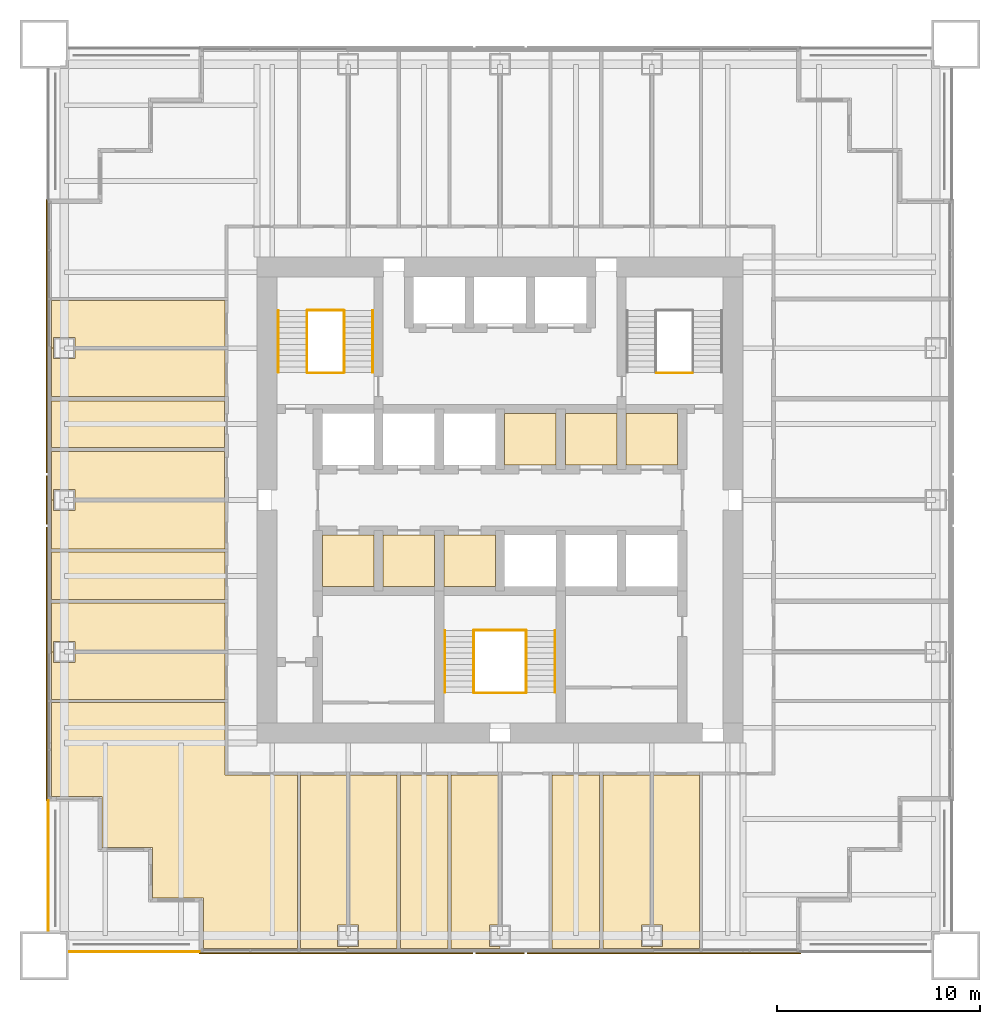
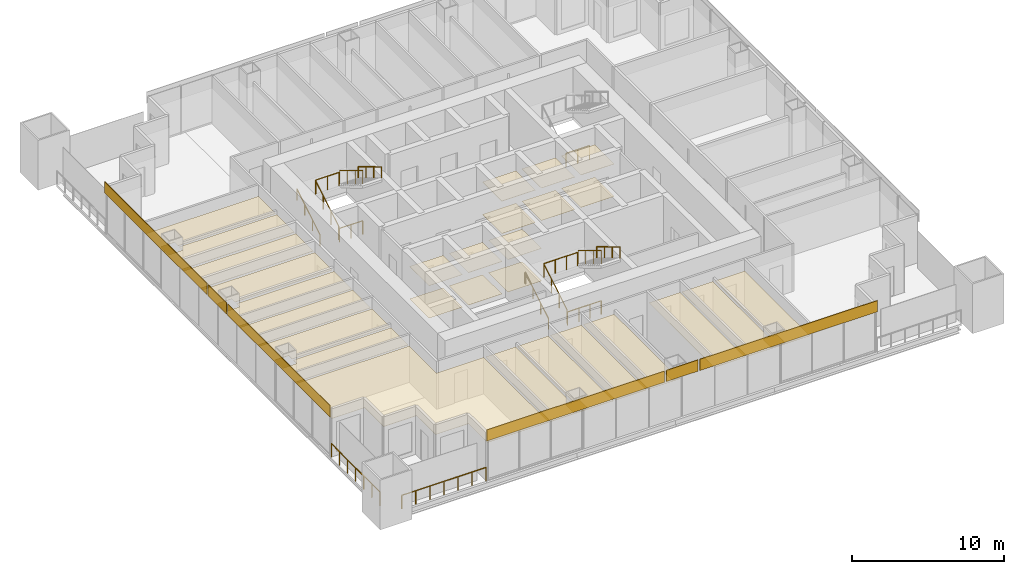
# One storey, part 13 of 14: 34 coverings, 15 railings.
"""IFC4 building model written with IfcOpenShell, lengths in metres."""

import ifcopenshell
import ifcopenshell.guid

model = None  # the IFC model being written
_history = None  # IfcOwnerHistory: only IFC2X3 demands one
_inside = {}  # id of a spatial element -> (the spatial element, [elements in it])
_under = {}  # id of a project, library or spatial element -> (it, [spatial elements below it])
_declared = {}  # id of a project -> (the project, [libraries it declares])
_typed = {}  # id of a type object -> (the type object, [elements of that type])
_made_of = {}  # id of a material, layer set ... -> (it, [elements and type objects made of it])


def new_model(schema):
    """Start an empty IFC model of exactly this schema.

    Asked for "IFC4X3", IfcOpenShell would pick the latest addendum, in which some entities
    have other attributes; the version numbers below select the first issue.
    IFC2X3 requires an IfcOwnerHistory on every rooted entity: one is made here for all.
    """
    global model, _history
    if schema == "IFC4X3":
        model = ifcopenshell.file(schema_version=(4, 3, 0, 0))
    else:
        model = ifcopenshell.file(schema=schema)
    _inside.clear()
    _under.clear()
    _declared.clear()
    _typed.clear()
    _made_of.clear()
    _history = None
    if model.schema == "IFC2X3":
        org = make("IfcOrganization", Name="unknown")
        user = make(
            "IfcPersonAndOrganization",
            ThePerson=make("IfcPerson", FamilyName="unknown"),
            TheOrganization=org,
        )
        app = make(
            "IfcApplication",
            ApplicationDeveloper=org,
            Version="unknown",
            ApplicationFullName="unknown",
            ApplicationIdentifier="unknown",
        )
        _history = make(
            "IfcOwnerHistory",
            OwningUser=user,
            OwningApplication=app,
            ChangeAction="ADDED",
            CreationDate=0,
        )
    return model


def make(cls, **values):
    """One entity of the class cls with the attributes given. An attribute that is None is left unset."""
    return model.create_entity(
        cls, **{name: value for name, value in values.items() if value is not None}
    )


def rooted(cls, **values):
    """An entity with a GlobalId (a new one), such as an element, a storey or a relation."""
    return make(cls, GlobalId=ifcopenshell.guid.new(), OwnerHistory=_history, **values)


def si_unit(unit_type, name, prefix=None):
    """IfcSIUnit, for example si_unit("LENGTHUNIT", "METRE", prefix="MILLI")."""
    return make("IfcSIUnit", UnitType=unit_type, Prefix=prefix, Name=name)


def assignment(units):
    """IfcUnitAssignment: the units of a project."""
    return None if units is None else make("IfcUnitAssignment", Units=units)


def point(xyz):
    """IfcCartesianPoint."""
    return None if xyz is None else make("IfcCartesianPoint", Coordinates=xyz)


def direction(xyz):
    """IfcDirection."""
    return None if xyz is None else make("IfcDirection", DirectionRatios=xyz)


def frame(location, z_axis=None, x_axis=None):
    """IfcAxis2Placement3D, a coordinate frame: its origin and axes. An axis left out is left unset."""
    return make(
        "IfcAxis2Placement3D",
        Location=point(location),
        Axis=direction(z_axis),
        RefDirection=direction(x_axis),
    )


def frame_2d(location, x_axis=None):
    """IfcAxis2Placement2D, a coordinate frame in the plane: its origin and x axis."""
    return make(
        "IfcAxis2Placement2D", Location=point(location), RefDirection=direction(x_axis)
    )


def origin():
    """The frame at (0, 0, 0) with its axes left unset."""
    return frame((0.0, 0.0, 0.0))


def origin_2d():
    """The frame at (0, 0) in the plane with its x axis left unset."""
    return frame_2d((0.0, 0.0))


def place(relative_to, where):
    """IfcLocalPlacement: puts the frame where relative to a parent placement (None: the world)."""
    return make(
        "IfcLocalPlacement", PlacementRelTo=relative_to, RelativePlacement=where
    )


def context(
    kind, dimensions, precision=None, world=None, true_north=None, identifier=None
):
    """IfcGeometricRepresentationContext, for example the 3D "Model" context."""
    return make(
        "IfcGeometricRepresentationContext",
        ContextIdentifier=identifier,
        ContextType=kind,
        CoordinateSpaceDimension=dimensions,
        Precision=precision,
        WorldCoordinateSystem=world,
        TrueNorth=true_north,
    )


def subcontext(parent, identifier, kind, view, scale=None):
    """IfcGeometricRepresentationSubContext, for example "Body" below "Model"."""
    return make(
        "IfcGeometricRepresentationSubContext",
        ContextIdentifier=identifier,
        ContextType=kind,
        ParentContext=parent,
        TargetScale=scale,
        TargetView=view,
    )


def project(units=None, contexts=None):
    """IfcProject with its units and contexts."""
    return rooted(
        "IfcProject",
        Name="project",
        RepresentationContexts=contexts,
        UnitsInContext=assignment(units),
    )


def spatial(cls, under=None, at=None, **own):
    """A site, building, storey or space (cls), placed at a placement, below another one or the project."""
    s = rooted(cls, ObjectPlacement=at, **own)
    if under is not None:
        _under.setdefault(under.id(), (under, []))[1].append(s)
    return s


def polyline(points):
    """IfcPolyline through the points."""
    return make("IfcPolyline", Points=[point(p) for p in points])


def profile(cls, at=None, kind="AREA", **sizes):
    """A parametric profile (cls). Its sizes go by their IFC names, for example OverallWidth=200.0."""
    return make(cls, ProfileType=kind, Position=at, **sizes)


def rectangle(**sizes):
    """IfcRectangleProfileDef."""
    return profile("IfcRectangleProfileDef", **sizes)


def circle(**sizes):
    """IfcCircleProfileDef."""
    return profile("IfcCircleProfileDef", **sizes)


def outline(outer, holes=None, kind="AREA"):
    """IfcArbitraryClosedProfileDef: a profile drawn as a closed curve; with holes, ...WithVoids."""
    if holes is None:
        return make("IfcArbitraryClosedProfileDef", ProfileType=kind, OuterCurve=outer)
    return make(
        "IfcArbitraryProfileDefWithVoids",
        ProfileType=kind,
        OuterCurve=outer,
        InnerCurves=holes,
    )


def extrude(swept, where, along, depth):
    """IfcExtrudedAreaSolid: the profile swept, set in the frame where, extruded along a direction by depth."""
    return make(
        "IfcExtrudedAreaSolid",
        SweptArea=swept,
        Position=where,
        ExtrudedDirection=direction(along),
        Depth=depth,
    )


def shape(context_of_items, identifier, shape_type, items):
    """IfcShapeRepresentation: the items that make up one representation, for example the "Body"."""
    return make(
        "IfcShapeRepresentation",
        ContextOfItems=context_of_items,
        RepresentationIdentifier=identifier,
        RepresentationType=shape_type,
        Items=items,
    )


def material(Name=None, Category=None):
    """IfcMaterial."""
    return make("IfcMaterial", Name=Name, Category=Category)


def layer(
    of_material, thickness, ventilated=None, Name=None, Category=None, Priority=None
):
    """IfcMaterialLayer: one layer of a wall or slab, of a material (None: an air gap)."""
    return make(
        "IfcMaterialLayer",
        Material=of_material,
        LayerThickness=thickness,
        IsVentilated=ventilated,
        Name=Name,
        Category=Category,
        Priority=Priority,
    )


def layer_set(layers, Name=None):
    """IfcMaterialLayerSet."""
    return make("IfcMaterialLayerSet", MaterialLayers=layers, LayerSetName=Name)


def made_of(thing, what):
    """Note that an element or type object is made of a material, layer set ...; save() writes the relation."""
    if what is not None:
        _made_of.setdefault(what.id(), (what, []))[1].append(thing)
    return thing


def type_object(cls, material=None, **own):
    """A type object (cls), such as IfcWallType, which elements share."""
    return made_of(rooted(cls, **own), material)


def element(
    cls,
    number,
    at=None,
    inside=None,
    cuts=None,
    type_object=None,
    material=None,
    context=None,
    identifier="Body",
    shape_type=None,
    held_by="IfcProductDefinitionShape",
    body=None,
    shapes=None,
    **own,
):
    """One element of the class cls, such as IfcWall. Its Tag is "e" and its number.

    at: its placement. inside: the storey or other place that contains it. cuts: it is an
    opening in that element (IfcRelVoidsElement). A single representation is given by context,
    identifier, shape_type and body (its items); several are given by shapes. held_by: the class
    of the entity that holds the representations. save() writes the other relations.
    """
    e = rooted(cls, Tag="e%d" % number, ObjectPlacement=at, **own)
    if body is not None:
        shapes = [shape(context, identifier, shape_type, body)]
    if shapes is not None:
        e.Representation = make(held_by, Representations=shapes)
    if inside is not None:
        _inside.setdefault(inside.id(), (inside, []))[1].append(e)
    if cuts is not None:
        rooted(
            "IfcRelVoidsElement", RelatingBuildingElement=cuts, RelatedOpeningElement=e
        )
    if type_object is not None:
        _typed.setdefault(type_object.id(), (type_object, []))[1].append(e)
    return made_of(e, material)


def aggregate(whole, parts):
    """IfcRelAggregates: a whole, such as a stair, and the parts it consists of."""
    return rooted("IfcRelAggregates", RelatingObject=whole, RelatedObjects=parts)


def save(model, path):
    """Write the relations noted so far, then the file.

    IfcRelAggregates (storeys below a building ...), IfcRelContainedInSpatialStructure (elements
    in a storey), IfcRelDefinesByType, IfcRelAssociatesMaterial and IfcRelDeclares: one each for
    every whole, place, type object, material and project.
    """
    for whole, parts in _under.values():
        aggregate(whole, parts)
    for where, things in _inside.values():
        rooted(
            "IfcRelContainedInSpatialStructure",
            RelatedElements=things,
            RelatingStructure=where,
        )
    for kind, things in _typed.values():
        rooted("IfcRelDefinesByType", RelatedObjects=things, RelatingType=kind)
    for what, things in _made_of.values():
        rooted("IfcRelAssociatesMaterial", RelatedObjects=things, RelatingMaterial=what)
    for by, libraries in _declared.values():
        rooted("IfcRelDeclares", RelatingContext=by, RelatedDefinitions=libraries)
    model.write(path)


model = new_model("IFC4")

# Units and contexts
model_context = context("Model", 3, precision=1e-05, world=origin(), true_north=direction((0.0, 1.0)))
body_context = subcontext(model_context, "Body", "Model", "MODEL_VIEW")
ifc_project = project(units=[si_unit("LENGTHUNIT", "METRE"), si_unit("AREAUNIT", "SQUARE_METRE"), si_unit("VOLUMEUNIT", "CUBIC_METRE"), si_unit("PLANEANGLEUNIT", "RADIAN"), si_unit("MASSUNIT", "GRAM", prefix="KILO")], contexts=[model_context])

# Site, building, storey
site_placement = place(None, origin())
site = spatial("IfcSite", under=ifc_project, at=site_placement, CompositionType="ELEMENT")
building_placement = place(site_placement, origin())
building = spatial("IfcBuilding", under=site, at=building_placement, Name="Tarangal Relay Tower", CompositionType="ELEMENT")
storey_placement = place(building_placement, frame((0.0, 0.0, 229.89990234375)))
storey = spatial("IfcBuildingStorey", under=building, at=storey_placement, Name="L49", CompositionType="ELEMENT", Elevation=229.89990234375)

# Coverings
ifc_material_1 = material(Name="Anti-static vinyl flooring", Category="plastic")
ifc_layer_1 = layer(ifc_material_1, 0.010009765625)
ifc_layer_set_1 = layer_set([ifc_layer_1], Name="Anti-static vinyl floor")
covering_type_1 = type_object("IfcCoveringType", Name="Anti-static vinyl floor", PredefinedType="FLOORING", material=ifc_layer_set_1)
covering_1_placement = place(storey_placement, origin())
element("IfcCovering", 1, at=covering_1_placement, inside=storey, type_object=covering_type_1, Name="Floor finish FL1 L49-T1", PredefinedType="FLOORING", context=body_context, shape_type="SweptSolid", body=[
    extrude(outline(polyline([(0.22509765625, 1.72509765625), (2.77490234375, 1.72509765625), (2.77490234375, 4.27490234375), (0.22509765625, 4.27490234375), (0.22509765625, 1.72509765625)])), origin(), (0.0, 0.0, 1.0), 0.010009765625),
])
covering_2_placement = place(storey_placement, origin())
element("IfcCovering", 2, at=covering_2_placement, inside=storey, type_object=covering_type_1, Name="Floor finish FL1 L49-T2", PredefinedType="FLOORING", context=body_context, shape_type="SweptSolid", body=[
    extrude(outline(polyline([(3.22509765625, 1.72509765625), (5.77490234375, 1.72509765625), (5.77490234375, 4.27490234375), (3.22509765625, 4.27490234375), (3.22509765625, 1.72509765625)])), origin(), (0.0, 0.0, 1.0), 0.010009765625),
])
covering_3_placement = place(storey_placement, origin())
element("IfcCovering", 3, at=covering_3_placement, inside=storey, type_object=covering_type_1, Name="Floor finish FL1 L49-T3", PredefinedType="FLOORING", context=body_context, shape_type="SweptSolid", body=[
    extrude(outline(polyline([(6.22509765625, 1.72509765625), (8.77490234375, 1.72509765625), (8.77490234375, 4.27490234375), (6.22509765625, 4.27490234375), (6.22509765625, 1.72509765625)])), origin(), (0.0, 0.0, 1.0), 0.010009765625),
])
covering_4_placement = place(storey_placement, origin())
element("IfcCovering", 4, at=covering_4_placement, inside=storey, type_object=covering_type_1, Name="Floor finish FL1 L49-S1", PredefinedType="FLOORING", context=body_context, shape_type="SweptSolid", body=[
    extrude(outline(polyline([(-8.77490234375, -4.27490234375), (-6.22509765625, -4.27490234375), (-6.22509765625, -1.72509765625), (-8.77490234375, -1.72509765625), (-8.77490234375, -4.27490234375)])), origin(), (0.0, 0.0, 1.0), 0.010009765625),
])
covering_5_placement = place(storey_placement, origin())
element("IfcCovering", 5, at=covering_5_placement, inside=storey, type_object=covering_type_1, Name="Floor finish FL1 L49-S2", PredefinedType="FLOORING", context=body_context, shape_type="SweptSolid", body=[
    extrude(outline(polyline([(-5.77490234375, -4.27490234375), (-3.22509765625, -4.27490234375), (-3.22509765625, -1.72509765625), (-5.77490234375, -1.72509765625), (-5.77490234375, -4.27490234375)])), origin(), (0.0, 0.0, 1.0), 0.010009765625),
])
covering_6_placement = place(storey_placement, origin())
element("IfcCovering", 6, at=covering_6_placement, inside=storey, type_object=covering_type_1, Name="Floor finish FL1 L49-S3", PredefinedType="FLOORING", context=body_context, shape_type="SweptSolid", body=[
    extrude(outline(polyline([(-2.77490234375, -4.27490234375), (-0.22509765625, -4.27490234375), (-0.22509765625, -1.72509765625), (-2.77490234375, -1.72509765625), (-2.77490234375, -4.27490234375)])), origin(), (0.0, 0.0, 1.0), 0.010009765625),
])
ifc_material_2 = material(Name="Black anodised aluminium cladding", Category="aluminium")
ifc_layer_2 = layer(ifc_material_2, 0.050048828125)
ifc_layer_set_2 = layer_set([ifc_layer_2], Name="Black metal spandrel band")
covering_type_2 = type_object("IfcCoveringType", Name="Black metal spandrel band", PredefinedType="CLADDING", material=ifc_layer_set_2)
covering_7_placement = place(storey_placement, frame((8.096435546875, -22.375, 3.250244140625), z_axis=(0.0, 0.0, 1.0), x_axis=(-1.0, 0.0, 0.0)))
element("IfcCovering", 7, at=covering_7_placement, inside=storey, type_object=covering_type_2, Name="Spandrel band SB1 S L49", PredefinedType="CLADDING", context=body_context, shape_type="SweptSolid", body=[
    extrude(rectangle(XDim=13.507080078125, YDim=0.050048828125, at=origin_2d()), origin(), (0.0, 0.0, 1.0), 0.89990234375),
])
covering_8_placement = place(storey_placement, frame((0.0, -22.375, 3.250244140625), z_axis=(0.0, 0.0, 1.0), x_axis=(-1.0, 0.0, 0.0)))
element("IfcCovering", 8, at=covering_8_placement, inside=storey, type_object=covering_type_2, Name="Spandrel band SB1 S L49", PredefinedType="CLADDING", context=body_context, shape_type="SweptSolid", body=[
    extrude(rectangle(XDim=2.406005859375, YDim=0.050048828125, at=origin_2d()), origin(), (0.0, 0.0, 1.0), 0.89990234375),
])
for number, where, z_axis, x_axis, name in (
    (9, (-8.096435546875, -22.375, 3.250244140625), (0.0, 0.0, 1.0), (-1.0, 0.0, 0.0), "Spandrel band SB1 S L49"),
    (10, (-22.375, -8.096435546875, 3.250244140625), (0.0, 0.0, 1.0), (0.0, 1.0, 0.0), "Spandrel band SB1 W L49"),
):
    element("IfcCovering", number, at=place(storey_placement, frame(where, z_axis=z_axis, x_axis=x_axis)), inside=storey, type_object=covering_type_2, Name=name, PredefinedType="CLADDING", context=body_context, shape_type="SweptSolid", body=[
        extrude(rectangle(XDim=13.507080078125, YDim=0.050048828125, at=origin_2d()), origin(), (0.0, 0.0, 1.0), 0.89990234375),
    ])
covering_9_placement = place(storey_placement, frame((-22.375, 0.0, 3.250244140625), z_axis=(0.0, 0.0, 1.0), x_axis=(0.0, 1.0, 0.0)))
element("IfcCovering", 11, at=covering_9_placement, inside=storey, type_object=covering_type_2, Name="Spandrel band SB1 W L49", PredefinedType="CLADDING", context=body_context, shape_type="SweptSolid", body=[
    extrude(rectangle(XDim=2.406005859375, YDim=0.050048828125, at=origin_2d()), origin(), (0.0, 0.0, 1.0), 0.89990234375),
])
covering_10_placement = place(storey_placement, frame((-22.375, 8.096435546875, 3.250244140625), z_axis=(0.0, 0.0, 1.0), x_axis=(0.0, 1.0, 0.0)))
element("IfcCovering", 12, at=covering_10_placement, inside=storey, type_object=covering_type_2, Name="Spandrel band SB1 W L49", PredefinedType="CLADDING", context=body_context, shape_type="SweptSolid", body=[
    extrude(rectangle(XDim=13.507080078125, YDim=0.050048828125, at=origin_2d()), origin(), (0.0, 0.0, 1.0), 0.89990234375),
])

# Railings
ifc_material_3 = material(Name="Steel guard, black finish", Category="steel")
railing_type_1 = type_object("IfcRailingType", Name="Stair guard 1100", PredefinedType="GUARDRAIL", material=ifc_material_3)
railing_1_placement = place(storey_placement, frame((-9.530029296875, 6.300048828125, 0.166748046875)))
element("IfcRailing", 13, at=railing_1_placement, inside=storey, type_object=railing_type_1, Name="Stair ST-A guard GR1 L49 flight 1", PredefinedType="GUARDRAIL", context=body_context, shape_type="SweptSolid", body=[
    extrude(circle(Radius=0.02392578125, at=origin_2d()), frame((0.0, 0.0, 1.076171875), z_axis=(0.0, 0.85685617095, 0.515555527858), x_axis=(-1.0, 0.0, 0.0)), (0.0, 0.0, 1.0), 3.555908203125),
    extrude(circle(Radius=0.02099609375, at=origin_2d()), origin(), (0.0, 0.0, 1.0), 1.052001953125),
    extrude(circle(Radius=0.02099609375, at=origin_2d()), frame((0.0, 1.015625, 0.611083984375)), (0.0, 0.0, 1.0), 1.052001953125),
    extrude(circle(Radius=0.02099609375, at=origin_2d()), frame((0.0, 2.03125, 1.22216796875)), (0.0, 0.0, 1.0), 1.052001953125),
    extrude(circle(Radius=0.02099609375, at=origin_2d()), frame((0.0, 3.046875, 1.833251953125)), (0.0, 0.0, 1.0), 1.052001953125),
])
railing_2_placement = place(storey_placement, frame((-7.695068359375, 9.346923828125, 2.166748046875)))
element("IfcRailing", 14, at=railing_2_placement, inside=storey, type_object=railing_type_1, Name="Stair ST-A guard GR1 L49 flight 2", PredefinedType="GUARDRAIL", context=body_context, shape_type="SweptSolid", body=[
    extrude(circle(Radius=0.02392578125, at=origin_2d()), frame((0.0, 0.0, 1.076171875), z_axis=(0.0, -0.85685617095, 0.515555527858), x_axis=(1.0, 0.0, 0.0)), (0.0, 0.0, 1.0), 3.555908203125),
    extrude(circle(Radius=0.02099609375, at=origin_2d()), origin(), (0.0, 0.0, 1.0), 1.052001953125),
    extrude(circle(Radius=0.02099609375, at=origin_2d()), frame((0.0, -1.015625, 0.611083984375)), (0.0, 0.0, 1.0), 1.052001953125),
    extrude(circle(Radius=0.02099609375, at=origin_2d()), frame((0.0, -2.03125, 1.22216796875)), (0.0, 0.0, 1.0), 1.052001953125),
    extrude(circle(Radius=0.02099609375, at=origin_2d()), frame((0.0, -3.046875, 1.833251953125)), (0.0, 0.0, 1.0), 1.052001953125),
])
for number, where, name in (
    (15, (-9.5, 6.27001953125, 0.0), "Stair ST-A landing guard GR1 L49"),
    (16, (-9.5, 9.376953125, 2.0), "Stair ST-A landing guard GR1 L49"),
    (17, (7.72509765625, 6.27001953125, 0.0), "Stair ST-B landing guard GR1 L49"),
):
    element("IfcRailing", number, at=place(storey_placement, frame(where)), inside=storey, type_object=railing_type_1, Name=name, PredefinedType="GUARDRAIL", context=body_context, shape_type="SweptSolid", body=[
        extrude(circle(Radius=0.02392578125, at=origin_2d()), frame((0.0, 0.0, 1.076171875), z_axis=(1.0, 0.0, 0.0), x_axis=(0.0, 1.0, 0.0)), (0.0, 0.0, 1.0), 1.77490234375),
        extrude(circle(Radius=0.02099609375, at=origin_2d()), origin(), (0.0, 0.0, 1.0), 1.052001953125),
        extrude(circle(Radius=0.02099609375, at=origin_2d()), frame((0.887451171875, 0.0, 0.0)), (0.0, 0.0, 1.0), 1.052001953125),
        extrude(circle(Radius=0.02099609375, at=origin_2d()), frame((1.77490234375, 0.0, 0.0)), (0.0, 0.0, 1.0), 1.052001953125),
    ])
railing_3_placement = place(storey_placement, frame((-1.304931640625, -9.5, 0.166748046875)))
element("IfcRailing", 18, at=railing_3_placement, inside=storey, type_object=railing_type_1, Name="Stair ST-C guard GR1 L49 flight 1", PredefinedType="GUARDRAIL", context=body_context, shape_type="SweptSolid", body=[
    extrude(circle(Radius=0.02392578125, at=origin_2d()), frame((0.0, 0.0, 1.076171875), z_axis=(0.0, 0.856874418557, 0.515525199018), x_axis=(-1.0, 0.0, 0.0)), (0.0, 0.0, 1.0), 3.55615234375),
    extrude(circle(Radius=0.02099609375, at=origin_2d()), origin(), (0.0, 0.0, 1.0), 1.052001953125),
    extrude(circle(Radius=0.02099609375, at=origin_2d()), frame((0.0, 1.015625, 0.611083984375)), (0.0, 0.0, 1.0), 1.052001953125),
    extrude(circle(Radius=0.02099609375, at=origin_2d()), frame((0.0, 2.031494140625, 1.22216796875)), (0.0, 0.0, 1.0), 1.052001953125),
    extrude(circle(Radius=0.02099609375, at=origin_2d()), frame((0.0, 3.047119140625, 1.833251953125)), (0.0, 0.0, 1.0), 1.052001953125),
])
railing_4_placement = place(storey_placement, frame((1.304931640625, -6.452880859375, 2.166748046875)))
element("IfcRailing", 19, at=railing_4_placement, inside=storey, type_object=railing_type_1, Name="Stair ST-C guard GR1 L49 flight 2", PredefinedType="GUARDRAIL", context=body_context, shape_type="SweptSolid", body=[
    extrude(circle(Radius=0.02392578125, at=origin_2d()), frame((0.0, 0.0, 1.076171875), z_axis=(0.0, -0.856874418557, 0.515525199018), x_axis=(1.0, 0.0, 0.0)), (0.0, 0.0, 1.0), 3.55615234375),
    extrude(circle(Radius=0.02099609375, at=origin_2d()), origin(), (0.0, 0.0, 1.0), 1.052001953125),
    extrude(circle(Radius=0.02099609375, at=origin_2d()), frame((0.0, -1.015625, 0.611083984375)), (0.0, 0.0, 1.0), 1.052001953125),
    extrude(circle(Radius=0.02099609375, at=origin_2d()), frame((0.0, -2.031494140625, 1.22216796875)), (0.0, 0.0, 1.0), 1.052001953125),
    extrude(circle(Radius=0.02099609375, at=origin_2d()), frame((0.0, -3.047119140625, 1.833251953125)), (0.0, 0.0, 1.0), 1.052001953125),
])
for number, where, name in (
    (20, (-1.27490234375, -9.530029296875, 0.0), "Stair ST-C landing guard GR1 L49"),
    (21, (-1.27490234375, -6.423095703125, 2.0), "Stair ST-C landing guard GR1 L49"),
):
    element("IfcRailing", number, at=place(storey_placement, frame(where)), inside=storey, type_object=railing_type_1, Name=name, PredefinedType="GUARDRAIL", context=body_context, shape_type="SweptSolid", body=[
        extrude(circle(Radius=0.02392578125, at=origin_2d()), frame((0.0, 0.0, 1.076171875), z_axis=(1.0, 0.0, 0.0), x_axis=(0.0, 1.0, 0.0)), (0.0, 0.0, 1.0), 2.5498046875),
        extrude(circle(Radius=0.02099609375, at=origin_2d()), origin(), (0.0, 0.0, 1.0), 1.052001953125),
        extrude(circle(Radius=0.02099609375, at=origin_2d()), frame((0.849853515625, 0.0, 0.0)), (0.0, 0.0, 1.0), 1.052001953125),
        extrude(circle(Radius=0.02099609375, at=origin_2d()), frame((1.699951171875, 0.0, 0.0)), (0.0, 0.0, 1.0), 1.052001953125),
        extrude(circle(Radius=0.02099609375, at=origin_2d()), frame((2.5498046875, 0.0, 0.0)), (0.0, 0.0, 1.0), 1.052001953125),
    ])
ifc_material_4 = material(Name="Steel handrail, black finish", Category="steel")
railing_type_2 = type_object("IfcRailingType", Name="Stair handrail 900", PredefinedType="HANDRAIL", material=ifc_material_4)
railing_5_placement = place(storey_placement, frame((-10.93994140625, 6.300048828125, 0.166748046875)))
element("IfcRailing", 22, at=railing_5_placement, inside=storey, type_object=railing_type_2, Name="Stair ST-A handrail HR1 L49 flight 1", PredefinedType="HANDRAIL", context=body_context, shape_type="SweptSolid", body=[
    extrude(circle(Radius=0.02392578125, at=origin_2d()), frame((0.0, 0.0, 0.8759765625), z_axis=(0.0, 0.85685617095, 0.515555527858), x_axis=(-1.0, 0.0, 0.0)), (0.0, 0.0, 1.0), 3.555908203125),
    extrude(circle(Radius=0.02099609375, at=origin_2d()), origin(), (0.0, 0.0, 1.0), 0.851806640625),
    extrude(circle(Radius=0.02099609375, at=origin_2d()), frame((0.0, 1.015625, 0.611083984375)), (0.0, 0.0, 1.0), 0.851806640625),
    extrude(circle(Radius=0.02099609375, at=origin_2d()), frame((0.0, 2.03125, 1.22216796875)), (0.0, 0.0, 1.0), 0.851806640625),
    extrude(circle(Radius=0.02099609375, at=origin_2d()), frame((0.0, 3.046875, 1.833251953125)), (0.0, 0.0, 1.0), 0.851806640625),
])
railing_6_placement = place(storey_placement, frame((-6.284912109375, 9.346923828125, 2.166748046875)))
element("IfcRailing", 23, at=railing_6_placement, inside=storey, type_object=railing_type_2, Name="Stair ST-A handrail HR1 L49 flight 2", PredefinedType="HANDRAIL", context=body_context, shape_type="SweptSolid", body=[
    extrude(circle(Radius=0.02392578125, at=origin_2d()), frame((0.0, 0.0, 0.8759765625), z_axis=(0.0, -0.85685617095, 0.515555527858), x_axis=(1.0, 0.0, 0.0)), (0.0, 0.0, 1.0), 3.555908203125),
    extrude(circle(Radius=0.02099609375, at=origin_2d()), origin(), (0.0, 0.0, 1.0), 0.851806640625),
    extrude(circle(Radius=0.02099609375, at=origin_2d()), frame((0.0, -1.015625, 0.611083984375)), (0.0, 0.0, 1.0), 0.851806640625),
    extrude(circle(Radius=0.02099609375, at=origin_2d()), frame((0.0, -2.03125, 1.22216796875)), (0.0, 0.0, 1.0), 0.851806640625),
    extrude(circle(Radius=0.02099609375, at=origin_2d()), frame((0.0, -3.046875, 1.833251953125)), (0.0, 0.0, 1.0), 0.851806640625),
])
railing_7_placement = place(storey_placement, frame((-2.715087890625, -9.5, 0.166748046875)))
element("IfcRailing", 24, at=railing_7_placement, inside=storey, type_object=railing_type_2, Name="Stair ST-C handrail HR1 L49 flight 1", PredefinedType="HANDRAIL", context=body_context, shape_type="SweptSolid", body=[
    extrude(circle(Radius=0.02392578125, at=origin_2d()), frame((0.0, 0.0, 0.8759765625), z_axis=(0.0, 0.856874418557, 0.515525199018), x_axis=(-1.0, 0.0, 0.0)), (0.0, 0.0, 1.0), 3.55615234375),
    extrude(circle(Radius=0.02099609375, at=origin_2d()), origin(), (0.0, 0.0, 1.0), 0.851806640625),
    extrude(circle(Radius=0.02099609375, at=origin_2d()), frame((0.0, 1.015625, 0.611083984375)), (0.0, 0.0, 1.0), 0.851806640625),
    extrude(circle(Radius=0.02099609375, at=origin_2d()), frame((0.0, 2.031494140625, 1.22216796875)), (0.0, 0.0, 1.0), 0.851806640625),
    extrude(circle(Radius=0.02099609375, at=origin_2d()), frame((0.0, 3.047119140625, 1.833251953125)), (0.0, 0.0, 1.0), 0.851806640625),
])
railing_8_placement = place(storey_placement, frame((2.715087890625, -6.452880859375, 2.166748046875)))
element("IfcRailing", 25, at=railing_8_placement, inside=storey, type_object=railing_type_2, Name="Stair ST-C handrail HR1 L49 flight 2", PredefinedType="HANDRAIL", context=body_context, shape_type="SweptSolid", body=[
    extrude(circle(Radius=0.02392578125, at=origin_2d()), frame((0.0, 0.0, 0.8759765625), z_axis=(0.0, -0.856874418557, 0.515525199018), x_axis=(1.0, 0.0, 0.0)), (0.0, 0.0, 1.0), 3.55615234375),
    extrude(circle(Radius=0.02099609375, at=origin_2d()), origin(), (0.0, 0.0, 1.0), 0.851806640625),
    extrude(circle(Radius=0.02099609375, at=origin_2d()), frame((0.0, -1.015625, 0.611083984375)), (0.0, 0.0, 1.0), 0.851806640625),
    extrude(circle(Radius=0.02099609375, at=origin_2d()), frame((0.0, -2.031494140625, 1.22216796875)), (0.0, 0.0, 1.0), 0.851806640625),
    extrude(circle(Radius=0.02099609375, at=origin_2d()), frame((0.0, -3.047119140625, 1.833251953125)), (0.0, 0.0, 1.0), 0.851806640625),
])

# Coverings
ifc_material_5 = material(Name="Mineral fibre ceiling tiles", Category="gypsum")
ifc_layer_3 = layer(ifc_material_5, 0.02001953125)
ifc_layer_set_3 = layer_set([ifc_layer_3], Name="Suspended ceiling")
covering_type_3 = type_object("IfcCoveringType", Name="Suspended ceiling", PredefinedType="CEILING", material=ifc_layer_set_3)
covering_11_placement = place(storey_placement, frame((0.0, 0.0, 2.60009765625)))
element("IfcCovering", 26, at=covering_11_placement, inside=storey, type_object=covering_type_3, Name="Suspended ceiling CL1 L49-T1", PredefinedType="CEILING", context=body_context, shape_type="SweptSolid", body=[
    extrude(outline(polyline([(0.22509765625, 1.72509765625), (2.77490234375, 1.72509765625), (2.77490234375, 4.27490234375), (0.22509765625, 4.27490234375), (0.22509765625, 1.72509765625)])), origin(), (0.0, 0.0, 1.0), 0.02001953125),
])
covering_12_placement = place(storey_placement, frame((0.0, 0.0, 2.60009765625)))
element("IfcCovering", 27, at=covering_12_placement, inside=storey, type_object=covering_type_3, Name="Suspended ceiling CL1 L49-T2", PredefinedType="CEILING", context=body_context, shape_type="SweptSolid", body=[
    extrude(outline(polyline([(3.22509765625, 1.72509765625), (5.77490234375, 1.72509765625), (5.77490234375, 4.27490234375), (3.22509765625, 4.27490234375), (3.22509765625, 1.72509765625)])), origin(), (0.0, 0.0, 1.0), 0.02001953125),
])
covering_13_placement = place(storey_placement, frame((0.0, 0.0, 2.60009765625)))
element("IfcCovering", 28, at=covering_13_placement, inside=storey, type_object=covering_type_3, Name="Suspended ceiling CL1 L49-T3", PredefinedType="CEILING", context=body_context, shape_type="SweptSolid", body=[
    extrude(outline(polyline([(6.22509765625, 1.72509765625), (8.77490234375, 1.72509765625), (8.77490234375, 4.27490234375), (6.22509765625, 4.27490234375), (6.22509765625, 1.72509765625)])), origin(), (0.0, 0.0, 1.0), 0.02001953125),
])
covering_14_placement = place(storey_placement, frame((0.0, 0.0, 2.60009765625)))
element("IfcCovering", 29, at=covering_14_placement, inside=storey, type_object=covering_type_3, Name="Suspended ceiling CL1 L49-S1", PredefinedType="CEILING", context=body_context, shape_type="SweptSolid", body=[
    extrude(outline(polyline([(-8.77490234375, -4.27490234375), (-6.22509765625, -4.27490234375), (-6.22509765625, -1.72509765625), (-8.77490234375, -1.72509765625), (-8.77490234375, -4.27490234375)])), origin(), (0.0, 0.0, 1.0), 0.02001953125),
])
covering_15_placement = place(storey_placement, frame((0.0, 0.0, 2.60009765625)))
element("IfcCovering", 30, at=covering_15_placement, inside=storey, type_object=covering_type_3, Name="Suspended ceiling CL1 L49-S2", PredefinedType="CEILING", context=body_context, shape_type="SweptSolid", body=[
    extrude(outline(polyline([(-5.77490234375, -4.27490234375), (-3.22509765625, -4.27490234375), (-3.22509765625, -1.72509765625), (-5.77490234375, -1.72509765625), (-5.77490234375, -4.27490234375)])), origin(), (0.0, 0.0, 1.0), 0.02001953125),
])
covering_16_placement = place(storey_placement, frame((0.0, 0.0, 2.60009765625)))
element("IfcCovering", 31, at=covering_16_placement, inside=storey, type_object=covering_type_3, Name="Suspended ceiling CL1 L49-S3", PredefinedType="CEILING", context=body_context, shape_type="SweptSolid", body=[
    extrude(outline(polyline([(-2.77490234375, -4.27490234375), (-0.22509765625, -4.27490234375), (-0.22509765625, -1.72509765625), (-2.77490234375, -1.72509765625), (-2.77490234375, -4.27490234375)])), origin(), (0.0, 0.0, 1.0), 0.02001953125),
])
covering_17_placement = place(storey_placement, frame((0.0, 0.0, 2.900146484375)))
element("IfcCovering", 32, at=covering_17_placement, inside=storey, type_object=covering_type_3, Name="Suspended ceiling CL1 L49-15", PredefinedType="CEILING", context=body_context, shape_type="SweptSolid", body=[
    extrude(outline(polyline([(7.5, -22.14990234375), (9.842041015625, -22.14990234375), (9.842041015625, -13.574951171875), (7.574951171875, -13.574951171875), (7.574951171875, -20.989990234375), (8.02490234375, -20.989990234375), (8.02490234375, -22.0400390625), (7.5, -22.0400390625), (7.5, -22.14990234375)])), origin(), (0.0, 0.0, 1.0), 0.02001953125),
])
covering_18_placement = place(storey_placement, frame((0.0, 0.0, 2.900146484375)))
element("IfcCovering", 33, at=covering_18_placement, inside=storey, type_object=covering_type_3, Name="Suspended ceiling CL1 L49-16", PredefinedType="CEILING", context=body_context, shape_type="SweptSolid", body=[
    extrude(outline(polyline([(5.074951171875, -22.14990234375), (7.5, -22.14990234375), (7.5, -22.0400390625), (6.97509765625, -22.0400390625), (6.97509765625, -20.989990234375), (7.425048828125, -20.989990234375), (7.425048828125, -13.574951171875), (5.074951171875, -13.574951171875), (5.074951171875, -22.14990234375)])), origin(), (0.0, 0.0, 1.0), 0.02001953125),
])
covering_19_placement = place(storey_placement, frame((0.0, 0.0, 2.900146484375)))
element("IfcCovering", 34, at=covering_19_placement, inside=storey, type_object=covering_type_3, Name="Suspended ceiling CL1 L49-17", PredefinedType="CEILING", context=body_context, shape_type="SweptSolid", body=[
    extrude(outline(polyline([(4.925048828125, -22.14990234375), (4.925048828125, -13.574951171875), (2.574951171875, -13.574951171875), (2.574951171875, -22.14990234375), (4.925048828125, -22.14990234375)])), origin(), (0.0, 0.0, 1.0), 0.02001953125),
])
covering_20_placement = place(storey_placement, frame((0.0, 0.0, 2.900146484375)))
element("IfcCovering", 35, at=covering_20_placement, inside=storey, type_object=covering_type_3, Name="Suspended ceiling CL1 L49-19", PredefinedType="CEILING", context=body_context, shape_type="SweptSolid", body=[
    extrude(outline(polyline([(-2.425048828125, -22.14990234375), (0.0, -22.14990234375), (0.0, -22.0400390625), (-0.52490234375, -22.0400390625), (-0.52490234375, -20.989990234375), (-0.074951171875, -20.989990234375), (-0.074951171875, -13.574951171875), (-2.425048828125, -13.574951171875), (-2.425048828125, -22.14990234375)])), origin(), (0.0, 0.0, 1.0), 0.02001953125),
])
covering_21_placement = place(storey_placement, frame((0.0, 0.0, 2.900146484375)))
element("IfcCovering", 36, at=covering_21_placement, inside=storey, type_object=covering_type_3, Name="Suspended ceiling CL1 L49-20", PredefinedType="CEILING", context=body_context, shape_type="SweptSolid", body=[
    extrude(outline(polyline([(-2.574951171875, -22.14990234375), (-2.574951171875, -13.574951171875), (-4.925048828125, -13.574951171875), (-4.925048828125, -22.14990234375), (-2.574951171875, -22.14990234375)])), origin(), (0.0, 0.0, 1.0), 0.02001953125),
])
covering_22_placement = place(storey_placement, frame((0.0, 0.0, 2.900146484375)))
element("IfcCovering", 37, at=covering_22_placement, inside=storey, type_object=covering_type_3, Name="Suspended ceiling CL1 L49-21", PredefinedType="CEILING", context=body_context, shape_type="SweptSolid", body=[
    extrude(outline(polyline([(-7.5, -22.14990234375), (-5.074951171875, -22.14990234375), (-5.074951171875, -13.574951171875), (-7.425048828125, -13.574951171875), (-7.425048828125, -20.989990234375), (-6.97509765625, -20.989990234375), (-6.97509765625, -22.0400390625), (-7.5, -22.0400390625), (-7.5, -22.14990234375)])), origin(), (0.0, 0.0, 1.0), 0.02001953125),
])
covering_23_placement = place(storey_placement, frame((0.0, 0.0, 2.900146484375)))
element("IfcCovering", 38, at=covering_23_placement, inside=storey, type_object=covering_type_3, Name="Suspended ceiling CL1 L49-22", PredefinedType="CEILING", context=body_context, shape_type="SweptSolid", body=[
    extrude(outline(polyline([(-9.842041015625, -22.14990234375), (-7.5, -22.14990234375), (-7.5, -22.0400390625), (-8.02490234375, -22.0400390625), (-8.02490234375, -20.989990234375), (-7.574951171875, -20.989990234375), (-7.574951171875, -13.574951171875), (-9.842041015625, -13.574951171875), (-9.842041015625, -22.14990234375)])), origin(), (0.0, 0.0, 1.0), 0.02001953125),
])
covering_24_placement = place(storey_placement, frame((0.0, 0.0, 2.900146484375)))
element("IfcCovering", 39, at=covering_24_placement, inside=storey, type_object=covering_type_3, Name="Suspended ceiling CL1 L49-23", PredefinedType="CEILING", context=body_context, shape_type="SweptSolid", body=[
    extrude(outline(polyline([(-22.14990234375, -7.5), (-22.14990234375, -9.842041015625), (-13.574951171875, -9.842041015625), (-13.574951171875, -7.574951171875), (-20.989990234375, -7.574951171875), (-20.989990234375, -8.02490234375), (-22.0400390625, -8.02490234375), (-22.0400390625, -7.5), (-22.14990234375, -7.5)])), origin(), (0.0, 0.0, 1.0), 0.02001953125),
])
covering_25_placement = place(storey_placement, frame((0.0, 0.0, 2.900146484375)))
element("IfcCovering", 40, at=covering_25_placement, inside=storey, type_object=covering_type_3, Name="Suspended ceiling CL1 L49-24", PredefinedType="CEILING", context=body_context, shape_type="SweptSolid", body=[
    extrude(outline(polyline([(-22.14990234375, -5.074951171875), (-22.14990234375, -7.5), (-22.0400390625, -7.5), (-22.0400390625, -6.97509765625), (-20.989990234375, -6.97509765625), (-20.989990234375, -7.425048828125), (-13.574951171875, -7.425048828125), (-13.574951171875, -5.074951171875), (-22.14990234375, -5.074951171875)])), origin(), (0.0, 0.0, 1.0), 0.02001953125),
])
covering_26_placement = place(storey_placement, frame((0.0, 0.0, 2.900146484375)))
element("IfcCovering", 41, at=covering_26_placement, inside=storey, type_object=covering_type_3, Name="Suspended ceiling CL1 L49-25", PredefinedType="CEILING", context=body_context, shape_type="SweptSolid", body=[
    extrude(outline(polyline([(-22.14990234375, -4.925048828125), (-13.574951171875, -4.925048828125), (-13.574951171875, -2.574951171875), (-22.14990234375, -2.574951171875), (-22.14990234375, -4.925048828125)])), origin(), (0.0, 0.0, 1.0), 0.02001953125),
])
covering_27_placement = place(storey_placement, frame((0.0, 0.0, 2.900146484375)))
element("IfcCovering", 42, at=covering_27_placement, inside=storey, type_object=covering_type_3, Name="Suspended ceiling CL1 L49-26", PredefinedType="CEILING", context=body_context, shape_type="SweptSolid", body=[
    extrude(outline(polyline([(-22.14990234375, 0.0), (-22.14990234375, -2.425048828125), (-13.574951171875, -2.425048828125), (-13.574951171875, -0.10009765625), (-20.989990234375, -0.10009765625), (-20.989990234375, -0.52490234375), (-22.0400390625, -0.52490234375), (-22.0400390625, 0.0), (-22.14990234375, 0.0)])), origin(), (0.0, 0.0, 1.0), 0.02001953125),
])
covering_28_placement = place(storey_placement, frame((0.0, 0.0, 2.900146484375)))
element("IfcCovering", 43, at=covering_28_placement, inside=storey, type_object=covering_type_3, Name="Suspended ceiling CL1 L49-27", PredefinedType="CEILING", context=body_context, shape_type="SweptSolid", body=[
    extrude(outline(polyline([(-22.14990234375, 2.39990234375), (-22.14990234375, 0.0), (-22.0400390625, 0.0), (-22.0400390625, 0.52490234375), (-20.989990234375, 0.52490234375), (-20.989990234375, 0.10009765625), (-13.60009765625, 0.10009765625), (-13.60009765625, 2.39990234375), (-22.14990234375, 2.39990234375)])), origin(), (0.0, 0.0, 1.0), 0.02001953125),
])
covering_29_placement = place(storey_placement, frame((0.0, 0.0, 2.900146484375)))
element("IfcCovering", 44, at=covering_29_placement, inside=storey, type_object=covering_type_3, Name="Suspended ceiling CL1 L49-28", PredefinedType="CEILING", context=body_context, shape_type="SweptSolid", body=[
    extrude(outline(polyline([(-22.14990234375, 2.60009765625), (-13.60009765625, 2.60009765625), (-13.60009765625, 4.89990234375), (-22.14990234375, 4.89990234375), (-22.14990234375, 2.60009765625)])), origin(), (0.0, 0.0, 1.0), 0.02001953125),
])
covering_30_placement = place(storey_placement, frame((0.0, 0.0, 2.900146484375)))
element("IfcCovering", 45, at=covering_30_placement, inside=storey, type_object=covering_type_3, Name="Suspended ceiling CL1 L49-29", PredefinedType="CEILING", context=body_context, shape_type="SweptSolid", body=[
    extrude(outline(polyline([(-22.14990234375, 7.5), (-22.14990234375, 5.10009765625), (-13.574951171875, 5.10009765625), (-13.574951171875, 7.425048828125), (-20.989990234375, 7.425048828125), (-20.989990234375, 6.97509765625), (-22.0400390625, 6.97509765625), (-22.0400390625, 7.5), (-22.14990234375, 7.5)])), origin(), (0.0, 0.0, 1.0), 0.02001953125),
])
covering_31_placement = place(storey_placement, frame((0.0, 0.0, 2.900146484375)))
element("IfcCovering", 46, at=covering_31_placement, inside=storey, type_object=covering_type_3, Name="Suspended ceiling CL1 L49-30", PredefinedType="CEILING", context=body_context, shape_type="SweptSolid", body=[
    extrude(outline(polyline([(-22.14990234375, 9.842041015625), (-22.14990234375, 7.5), (-22.0400390625, 7.5), (-22.0400390625, 8.02490234375), (-20.989990234375, 8.02490234375), (-20.989990234375, 7.574951171875), (-13.574951171875, 7.574951171875), (-13.574951171875, 9.842041015625), (-22.14990234375, 9.842041015625)])), origin(), (0.0, 0.0, 1.0), 0.02001953125),
])
covering_32_placement = place(storey_placement, frame((0.0, 0.0, 2.900146484375)))
element("IfcCovering", 47, at=covering_32_placement, inside=storey, type_object=covering_type_3, Name="Suspended ceiling CL1 L49-33", PredefinedType="CEILING", context=body_context, shape_type="SweptSolid", body=[
    extrude(outline(polyline([(-14.64990234375, -19.64990234375), (-14.64990234375, -22.14990234375), (-9.991943359375, -22.14990234375), (-9.991943359375, -13.574951171875), (-13.574951171875, -13.574951171875), (-13.574951171875, -9.991943359375), (-22.14990234375, -9.991943359375), (-22.14990234375, -14.64990234375), (-19.64990234375, -14.64990234375), (-19.64990234375, -17.14990234375), (-17.14990234375, -17.14990234375), (-17.14990234375, -19.64990234375), (-14.64990234375, -19.64990234375)])), origin(), (0.0, 0.0, 1.0), 0.02001953125),
])

# Railings
ifc_material_6 = material(Name="Black steel guard with glass infill", Category="steel")
railing_type_3 = type_object("IfcRailingType", Name="Terrace guard 1100", PredefinedType="GUARDRAIL", material=ifc_material_6)
railing_9_placement = place(storey_placement, frame((-14.85009765625, -22.300048828125, 0.0)))
element("IfcRailing", 48, at=railing_9_placement, inside=storey, type_object=railing_type_3, Name="Terrace guard GR2 SW L49", PredefinedType="GUARDRAIL", context=body_context, shape_type="SweptSolid", body=[
    extrude(circle(Radius=0.02392578125, at=origin_2d()), frame((0.0, 0.0, 1.076171875), z_axis=(-1.0, 0.0, 0.0), x_axis=(0.0, -1.0, 0.0)), (0.0, 0.0, 1.0), 6.39990234375),
    extrude(circle(Radius=0.02099609375, at=origin_2d()), origin(), (0.0, 0.0, 1.0), 1.052001953125),
    extrude(circle(Radius=0.02099609375, at=origin_2d()), frame((-1.066650390625, 0.0, 0.0)), (0.0, 0.0, 1.0), 1.052001953125),
    extrude(circle(Radius=0.02099609375, at=origin_2d()), frame((-2.13330078125, 0.0, 0.0)), (0.0, 0.0, 1.0), 1.052001953125),
    extrude(circle(Radius=0.02099609375, at=origin_2d()), frame((-3.199951171875, 0.0, 0.0)), (0.0, 0.0, 1.0), 1.052001953125),
    extrude(circle(Radius=0.02099609375, at=origin_2d()), frame((-4.2666015625, 0.0, 0.0)), (0.0, 0.0, 1.0), 1.052001953125),
    extrude(circle(Radius=0.02099609375, at=origin_2d()), frame((-5.333251953125, 0.0, 0.0)), (0.0, 0.0, 1.0), 1.052001953125),
    extrude(circle(Radius=0.02099609375, at=origin_2d()), frame((-6.39990234375, 0.0, 0.0)), (0.0, 0.0, 1.0), 1.052001953125),
])
railing_10_placement = place(storey_placement, frame((-22.300048828125, -21.25, 0.0)))
element("IfcRailing", 49, at=railing_10_placement, inside=storey, type_object=railing_type_3, Name="Terrace guard GR2 SW L49", PredefinedType="GUARDRAIL", context=body_context, shape_type="SweptSolid", body=[
    extrude(circle(Radius=0.02392578125, at=origin_2d()), frame((0.0, 0.0, 1.076171875), z_axis=(0.0, 1.0, 0.0), x_axis=(-1.0, 0.0, 0.0)), (0.0, 0.0, 1.0), 6.39990234375),
    extrude(circle(Radius=0.02099609375, at=origin_2d()), origin(), (0.0, 0.0, 1.0), 1.052001953125),
    extrude(circle(Radius=0.02099609375, at=origin_2d()), frame((0.0, 1.066650390625, 0.0)), (0.0, 0.0, 1.0), 1.052001953125),
    extrude(circle(Radius=0.02099609375, at=origin_2d()), frame((0.0, 2.13330078125, 0.0)), (0.0, 0.0, 1.0), 1.052001953125),
    extrude(circle(Radius=0.02099609375, at=origin_2d()), frame((0.0, 3.199951171875, 0.0)), (0.0, 0.0, 1.0), 1.052001953125),
    extrude(circle(Radius=0.02099609375, at=origin_2d()), frame((0.0, 4.2666015625, 0.0)), (0.0, 0.0, 1.0), 1.052001953125),
    extrude(circle(Radius=0.02099609375, at=origin_2d()), frame((0.0, 5.333251953125, 0.0)), (0.0, 0.0, 1.0), 1.052001953125),
    extrude(circle(Radius=0.02099609375, at=origin_2d()), frame((0.0, 6.39990234375, 0.0)), (0.0, 0.0, 1.0), 1.052001953125),
])

save(model, "model.ifc")
